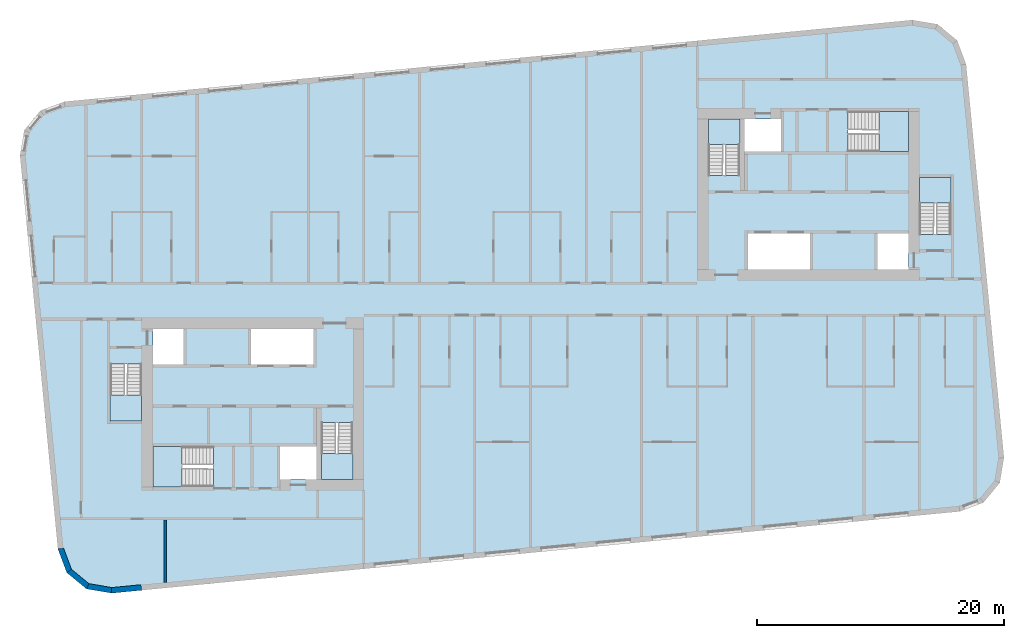
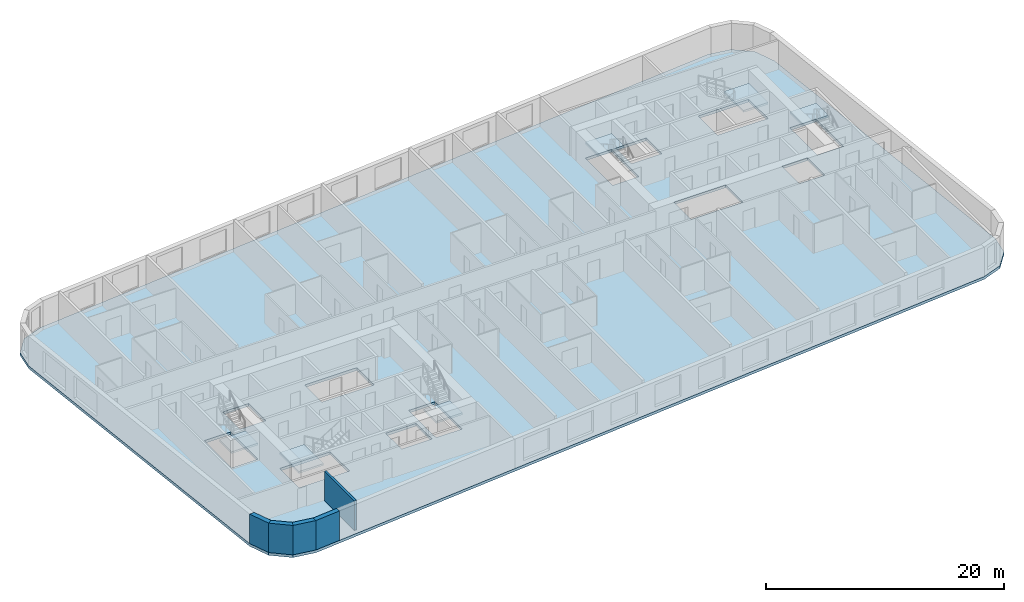
# One storey, part 1 of 12: 7 slabs, 5 walls, 6 elements without a shape of their own.
"""IFC4 building model written with IfcOpenShell, lengths in metres."""

from ifc_helpers import new_model, si_unit, direction, frame, frame_2d, origin, place, context, subcontext, project, spatial, polyline, rectangle, outline, extrude, material, layer, layer_set, type_object, element, aggregate, save


model = new_model("IFC4")

# Units and contexts
model_context = context("Model", 3, precision=1e-05, world=origin(), true_north=direction((0.0, 1.0)))
body_context = subcontext(model_context, "Body", "Model", "MODEL_VIEW")
ifc_project = project(units=[si_unit("LENGTHUNIT", "METRE"), si_unit("AREAUNIT", "SQUARE_METRE"), si_unit("VOLUMEUNIT", "CUBIC_METRE"), si_unit("PLANEANGLEUNIT", "RADIAN"), si_unit("MASSUNIT", "GRAM", prefix="KILO")], contexts=[model_context])

# Site, building, storey
site_placement = place(None, origin())
site = spatial("IfcSite", under=ifc_project, at=site_placement, CompositionType="ELEMENT")
building_placement = place(site_placement, origin())
building = spatial("IfcBuilding", under=site, at=building_placement, Name="Kajstack Hotel Tower", CompositionType="ELEMENT")
storey_placement = place(building_placement, frame((0.0, 0.0, 294.89990234375)))
storey = spatial("IfcBuildingStorey", under=building, at=storey_placement, Name="L74", CompositionType="ELEMENT", Elevation=294.89990234375)

# Slab
ifc_material_1 = material(Name="Concrete C40/50", Category="concrete")
ifc_layer_1 = layer(ifc_material_1, 0.280029296875)
ifc_layer_set_1 = layer_set([ifc_layer_1], Name="RC slab 280 C40/50 guest")
slab_type_1 = type_object("IfcSlabType", Name="RC slab 280 C40/50 guest", PredefinedType="FLOOR", material=ifc_layer_set_1)
slab_1_placement = place(storey_placement, frame((0.0, 0.0, -0.27978515625)))
element("IfcSlab", 1, at=slab_1_placement, inside=storey, type_object=slab_type_1, Name="S-slab-L74", PredefinedType="FLOOR", context=body_context, shape_type="SweptSolid", body=[
    extrude(outline(polyline([(-41.356201171875, 11.63623046875), (-38.289306640625, -20.21630859375), (-37.564208984375, -22.15576171875), (-35.96630859375, -23.472900390625), (-33.92431640625, -23.814697265625), (34.758056640625, -17.201171875), (36.697509765625, -16.47607421875), (38.014404296875, -14.87841796875), (38.356201171875, -12.836181640625), (35.289306640625, 19.016357421875), (34.564208984375, 20.955810546875), (32.96630859375, 22.27294921875), (30.92431640625, 22.614501953125), (-37.758056640625, 16.001220703125), (-39.697509765625, 15.276123046875), (-41.014404296875, 13.678466796875), (-41.356201171875, 11.63623046875)]), holes=[polyline([(-22.64990234375, -5.300048828125), (-22.64990234375, -2.39990234375), (-17.60009765625, -2.39990234375), (-17.60009765625, -5.300048828125), (-22.64990234375, -5.300048828125)]), polyline([(-20.300048828125, -14.60009765625), (-17.35009765625, -14.60009765625), (-17.35009765625, -11.949951171875), (-20.300048828125, -11.949951171875), (-20.300048828125, -14.60009765625)]), polyline([(-30.60009765625, -5.300048828125), (-28.10009765625, -5.300048828125), (-28.10009765625, -2.39990234375), (-30.60009765625, -2.39990234375), (-30.60009765625, -5.300048828125)]), polyline([(17.60009765625, 2.39990234375), (17.60009765625, 5.300048828125), (22.64990234375, 5.300048828125), (22.64990234375, 2.39990234375), (17.60009765625, 2.39990234375)]), polyline([(20.300048828125, 14.60009765625), (17.35009765625, 14.60009765625), (17.35009765625, 11.949951171875), (20.300048828125, 11.949951171875), (20.300048828125, 14.60009765625)]), polyline([(30.60009765625, 5.300048828125), (28.10009765625, 5.300048828125), (28.10009765625, 2.39990234375), (30.60009765625, 2.39990234375), (30.60009765625, 5.300048828125)]), polyline([(-34.050048828125, -9.85009765625), (-31.5, -9.85009765625), (-31.5, -5.25), (-34.050048828125, -5.25), (-34.050048828125, -9.85009765625)]), polyline([(-16.949951171875, -14.60009765625), (-14.39990234375, -14.60009765625), (-14.39990234375, -10.0), (-16.949951171875, -10.0), (-16.949951171875, -14.60009765625)]), polyline([(-30.60009765625, -15.199951171875), (-25.699951171875, -15.199951171875), (-25.699951171875, -11.949951171875), (-30.60009765625, -11.949951171875), (-30.60009765625, -15.199951171875)]), polyline([(34.050048828125, 9.85009765625), (31.5, 9.85009765625), (31.5, 5.25), (34.050048828125, 5.25), (34.050048828125, 9.85009765625)]), polyline([(16.949951171875, 14.60009765625), (14.39990234375, 14.60009765625), (14.39990234375, 10.0), (16.949951171875, 10.0), (16.949951171875, 14.60009765625)]), polyline([(30.60009765625, 15.199951171875), (25.699951171875, 15.199951171875), (25.699951171875, 11.949951171875), (30.60009765625, 11.949951171875), (30.60009765625, 15.199951171875)])]), origin(), (0.0, 0.0, 1.0), 0.27978515625),
])

# Stair, slab
stair_type_1 = type_object("IfcStairType", Name="Exit stair 1200", PredefinedType="HALF_TURN_STAIR", material=ifc_material_1)
stair_1_placement = place(storey_placement, origin())
stair_1 = element("IfcStair", 2, at=stair_1_placement, inside=storey, type_object=stair_type_1, Name="L74 stair W1", PredefinedType="HALF_TURN_STAIR")
ifc_layer_2 = layer(ifc_material_1, 0.199951171875)
ifc_layer_set_2 = layer_set([ifc_layer_2], Name="Stair landing 200")
slab_type_2 = type_object("IfcSlabType", Name="Stair landing 200", PredefinedType="LANDING", material=ifc_layer_set_2)
slab_2_placement = place(storey_placement, frame((0.0, 0.0, 1.4501953125)))
slab_2 = element("IfcSlab", 3, at=slab_2_placement, type_object=slab_type_2, Name="W1 landing 1", PredefinedType="LANDING", context=body_context, shape_type="SweptSolid", body=[
    extrude(outline(polyline([(-34.050048828125, -7.77001953125), (-34.050048828125, -9.85009765625), (-31.5, -9.85009765625), (-31.5, -7.77001953125), (-34.050048828125, -7.77001953125)])), origin(), (0.0, 0.0, 1.0), 0.199951171875),
])
aggregate(stair_1, [slab_2])

stair_2_placement = place(storey_placement, origin())
stair_2 = element("IfcStair", 4, at=stair_2_placement, inside=storey, type_object=stair_type_1, Name="L74 stair W2", PredefinedType="HALF_TURN_STAIR")
slab_3_placement = place(storey_placement, frame((0.0, 0.0, 1.4501953125)))
slab_3 = element("IfcSlab", 5, at=slab_3_placement, type_object=slab_type_2, Name="W2 landing 1", PredefinedType="LANDING", context=body_context, shape_type="SweptSolid", body=[
    extrude(outline(polyline([(-16.949951171875, -12.52001953125), (-16.949951171875, -14.60009765625), (-14.39990234375, -14.60009765625), (-14.39990234375, -12.52001953125), (-16.949951171875, -12.52001953125)])), origin(), (0.0, 0.0, 1.0), 0.199951171875),
])
aggregate(stair_2, [slab_3])

stair_type_2 = type_object("IfcStairType", Name="Exit stair 1500", PredefinedType="HALF_TURN_STAIR", material=ifc_material_1)
stair_3_placement = place(storey_placement, origin())
stair_3 = element("IfcStair", 6, at=stair_3_placement, inside=storey, type_object=stair_type_2, Name="L74 stair W3", PredefinedType="HALF_TURN_STAIR")
slab_4_placement = place(storey_placement, frame((0.0, 0.0, 1.4501953125)))
slab_4 = element("IfcSlab", 7, at=slab_4_placement, type_object=slab_type_2, Name="W3 landing 1", PredefinedType="LANDING", context=body_context, shape_type="SweptSolid", body=[
    extrude(outline(polyline([(-28.219970703125, -11.949951171875), (-30.60009765625, -11.949951171875), (-30.60009765625, -15.199951171875), (-28.219970703125, -15.199951171875), (-28.219970703125, -11.949951171875)])), origin(), (0.0, 0.0, 1.0), 0.199951171875),
])
aggregate(stair_3, [slab_4])

stair_4_placement = place(storey_placement, origin())
stair_4 = element("IfcStair", 8, at=stair_4_placement, inside=storey, type_object=stair_type_1, Name="L74 stair E1", PredefinedType="HALF_TURN_STAIR")
slab_5_placement = place(storey_placement, frame((0.0, 0.0, 1.4501953125)))
slab_5 = element("IfcSlab", 9, at=slab_5_placement, type_object=slab_type_2, Name="E1 landing 1", PredefinedType="LANDING", context=body_context, shape_type="SweptSolid", body=[
    extrude(outline(polyline([(34.050048828125, 7.77001953125), (34.050048828125, 9.85009765625), (31.5, 9.85009765625), (31.5, 7.77001953125), (34.050048828125, 7.77001953125)])), origin(), (0.0, 0.0, 1.0), 0.199951171875),
])
aggregate(stair_4, [slab_5])

stair_5_placement = place(storey_placement, origin())
stair_5 = element("IfcStair", 10, at=stair_5_placement, inside=storey, type_object=stair_type_1, Name="L74 stair E2", PredefinedType="HALF_TURN_STAIR")
slab_6_placement = place(storey_placement, frame((0.0, 0.0, 1.4501953125)))
slab_6 = element("IfcSlab", 11, at=slab_6_placement, type_object=slab_type_2, Name="E2 landing 1", PredefinedType="LANDING", context=body_context, shape_type="SweptSolid", body=[
    extrude(outline(polyline([(16.949951171875, 12.52001953125), (16.949951171875, 14.60009765625), (14.39990234375, 14.60009765625), (14.39990234375, 12.52001953125), (16.949951171875, 12.52001953125)])), origin(), (0.0, 0.0, 1.0), 0.199951171875),
])
aggregate(stair_5, [slab_6])

stair_6_placement = place(storey_placement, origin())
stair_6 = element("IfcStair", 12, at=stair_6_placement, inside=storey, type_object=stair_type_2, Name="L74 stair E3", PredefinedType="HALF_TURN_STAIR")
slab_7_placement = place(storey_placement, frame((0.0, 0.0, 1.4501953125)))
slab_7 = element("IfcSlab", 13, at=slab_7_placement, type_object=slab_type_2, Name="E3 landing 1", PredefinedType="LANDING", context=body_context, shape_type="SweptSolid", body=[
    extrude(outline(polyline([(28.219970703125, 11.949951171875), (30.60009765625, 11.949951171875), (30.60009765625, 15.199951171875), (28.219970703125, 15.199951171875), (28.219970703125, 11.949951171875)])), origin(), (0.0, 0.0, 1.0), 0.199951171875),
])
aggregate(stair_6, [slab_7])

# Walls
ifc_material_2 = material(Name="Terracotta-faced brick masonry", Category="masonry")
ifc_layer_3 = layer(ifc_material_2, 0.449951171875)
ifc_layer_set_3 = layer_set([ifc_layer_3], Name="EW-TERRA")
wall_type_1 = type_object("IfcWallType", Name="EW-TERRA", PredefinedType="SOLIDWALL", material=ifc_layer_set_3)
wall_1_placement = place(storey_placement, frame((-38.078369140625, -20.1376953125, 0.0), z_axis=(0.0, 0.0, 1.0), x_axis=(0.350231589928, -0.936663137642, 0.0)))
element("IfcWall", 14, at=wall_1_placement, inside=storey, type_object=wall_type_1, Name="E-wall-L74-01-00", PredefinedType="SOLIDWALL", context=body_context, shape_type="SweptSolid", body=[
    extrude(outline(polyline([(0.0, -0.22509765625), (2.0703125, -0.22509765625), (1.949951171875, 0.224853515625), (0.120361328125, 0.224853515625), (0.0, -0.22509765625)])), origin(), (0.0, 0.0, 1.0), 3.02001953125),
])
wall_2_placement = place(storey_placement, frame((-37.4208984375, -21.982177734375, 0.0), z_axis=(0.0, 0.0, 1.0), x_axis=(0.771593176315, -0.636116318187, 0.0)))
element("IfcWall", 15, at=wall_2_placement, inside=storey, type_object=wall_type_1, Name="E-wall-L74-02-00", PredefinedType="SOLIDWALL", context=body_context, shape_type="SweptSolid", body=[
    extrude(outline(polyline([(0.0, -0.22509765625), (2.070556640625, -0.22509765625), (1.949951171875, 0.22509765625), (0.12060546875, 0.224853515625), (0.0, -0.22509765625)])), origin(), (0.0, 0.0, 1.0), 3.02001953125),
])
wall_3_placement = place(storey_placement, frame((-35.92919921875, -23.2509765625, 0.0), z_axis=(0.0, 0.0, 1.0), x_axis=(0.986278951104, -0.165087342366, 0.0)))
element("IfcWall", 16, at=wall_3_placement, inside=storey, type_object=wall_type_1, Name="E-wall-L74-03-00", PredefinedType="SOLIDWALL", context=body_context, shape_type="SweptSolid", body=[
    extrude(outline(polyline([(0.0, -0.22509765625), (2.070556640625, -0.224853515625), (1.949951171875, 0.22509765625), (0.12060546875, 0.22509765625), (0.0, -0.22509765625)])), origin(), (0.0, 0.0, 1.0), 3.02001953125),
])
wall_4_placement = place(storey_placement, frame((-33.94580078125, -23.590576171875, 0.0), z_axis=(0.0, 0.0, 1.0), x_axis=(0.995397635156, 0.095830829729, 0.0)))
element("IfcWall", 17, at=wall_4_placement, inside=storey, type_object=wall_type_1, Name="E-wall-L74-04-00", PredefinedType="SOLIDWALL", context=body_context, shape_type="SweptSolid", body=[
    extrude(rectangle(XDim=2.435546875, YDim=0.449951171875, at=frame_2d((1.2177734375, 0.0))), origin(), (0.0, 0.0, 1.0), 3.02001953125),
])
ifc_material_3 = material(Name="Gypsum board on steel studs, mineral wool", Category="steel")
ifc_layer_4 = layer(ifc_material_3, 0.199951171875)
ifc_layer_set_4 = layer_set([ifc_layer_4], Name="Service partition 200")
wall_type_2 = type_object("IfcWallType", Name="Service partition 200", PredefinedType="PARTITIONING", material=ifc_layer_set_4)
wall_5_placement = place(storey_placement, frame((-29.60009765625, -22.947021484375, 0.0), z_axis=(0.0, 0.0, 1.0), x_axis=(0.0, 1.0, 0.0)))
element("IfcWall", 18, at=wall_5_placement, inside=storey, type_object=wall_type_2, Name="Partition W SLP0", PredefinedType="PARTITIONING", context=body_context, shape_type="SweptSolid", body=[
    extrude(rectangle(XDim=5.047119140625, YDim=0.199951171875, at=frame_2d((2.5234375, 0.0))), origin(), (0.0, 0.0, 1.0), 3.02001953125),
])

save(model, "model.ifc")
